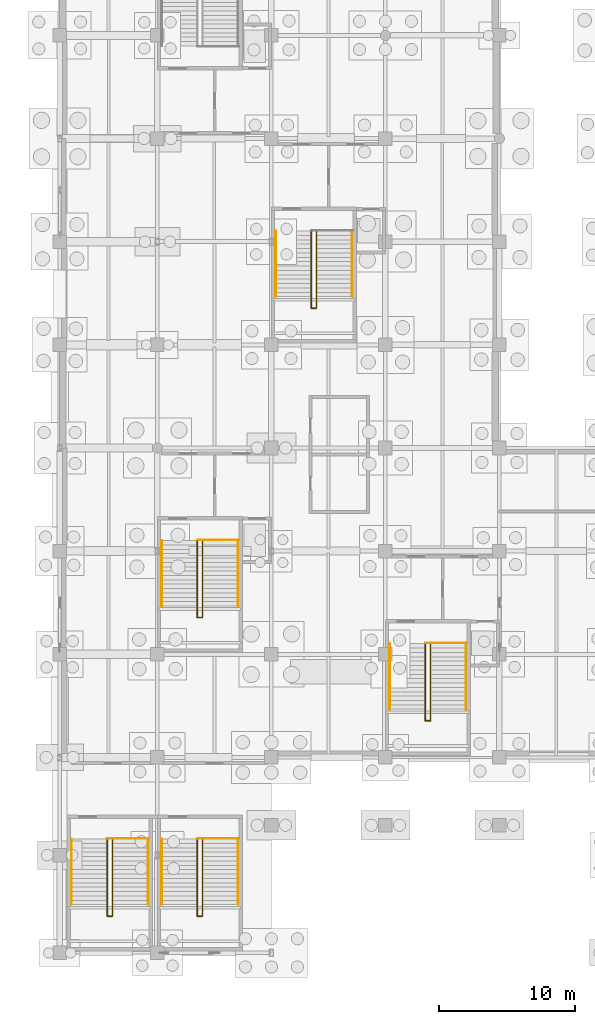
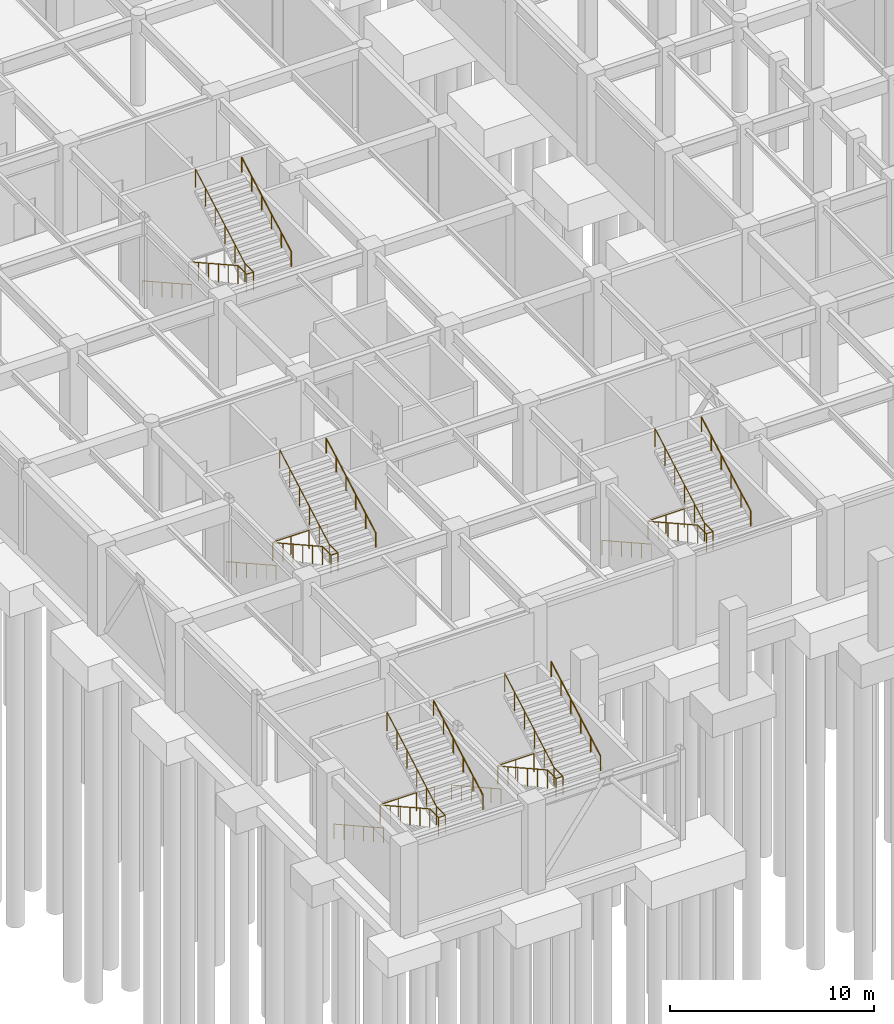
# One storey, part 49 of 52: 19 railings.
"""IFC4 building model written with IfcOpenShell, lengths in metres."""

import ifcopenshell
import ifcopenshell.guid

model = None  # the IFC model being written
_history = None  # IfcOwnerHistory: only IFC2X3 demands one
_inside = {}  # id of a spatial element -> (the spatial element, [elements in it])
_under = {}  # id of a project, library or spatial element -> (it, [spatial elements below it])
_declared = {}  # id of a project -> (the project, [libraries it declares])
_typed = {}  # id of a type object -> (the type object, [elements of that type])
_made_of = {}  # id of a material, layer set ... -> (it, [elements and type objects made of it])


def new_model(schema):
    """Start an empty IFC model of exactly this schema.

    Asked for "IFC4X3", IfcOpenShell would pick the latest addendum, in which some entities
    have other attributes; the version numbers below select the first issue.
    IFC2X3 requires an IfcOwnerHistory on every rooted entity: one is made here for all.
    """
    global model, _history
    if schema == "IFC4X3":
        model = ifcopenshell.file(schema_version=(4, 3, 0, 0))
    else:
        model = ifcopenshell.file(schema=schema)
    _inside.clear()
    _under.clear()
    _declared.clear()
    _typed.clear()
    _made_of.clear()
    _history = None
    if model.schema == "IFC2X3":
        org = make("IfcOrganization", Name="unknown")
        user = make(
            "IfcPersonAndOrganization",
            ThePerson=make("IfcPerson", FamilyName="unknown"),
            TheOrganization=org,
        )
        app = make(
            "IfcApplication",
            ApplicationDeveloper=org,
            Version="unknown",
            ApplicationFullName="unknown",
            ApplicationIdentifier="unknown",
        )
        _history = make(
            "IfcOwnerHistory",
            OwningUser=user,
            OwningApplication=app,
            ChangeAction="ADDED",
            CreationDate=0,
        )
    return model


def make(cls, **values):
    """One entity of the class cls with the attributes given. An attribute that is None is left unset."""
    return model.create_entity(
        cls, **{name: value for name, value in values.items() if value is not None}
    )


def rooted(cls, **values):
    """An entity with a GlobalId (a new one), such as an element, a storey or a relation."""
    return make(cls, GlobalId=ifcopenshell.guid.new(), OwnerHistory=_history, **values)


def si_unit(unit_type, name, prefix=None):
    """IfcSIUnit, for example si_unit("LENGTHUNIT", "METRE", prefix="MILLI")."""
    return make("IfcSIUnit", UnitType=unit_type, Prefix=prefix, Name=name)


def assignment(units):
    """IfcUnitAssignment: the units of a project."""
    return None if units is None else make("IfcUnitAssignment", Units=units)


def point(xyz):
    """IfcCartesianPoint."""
    return None if xyz is None else make("IfcCartesianPoint", Coordinates=xyz)


def direction(xyz):
    """IfcDirection."""
    return None if xyz is None else make("IfcDirection", DirectionRatios=xyz)


def frame(location, z_axis=None, x_axis=None):
    """IfcAxis2Placement3D, a coordinate frame: its origin and axes. An axis left out is left unset."""
    return make(
        "IfcAxis2Placement3D",
        Location=point(location),
        Axis=direction(z_axis),
        RefDirection=direction(x_axis),
    )


def frame_2d(location, x_axis=None):
    """IfcAxis2Placement2D, a coordinate frame in the plane: its origin and x axis."""
    return make(
        "IfcAxis2Placement2D", Location=point(location), RefDirection=direction(x_axis)
    )


def origin():
    """The frame at (0, 0, 0) with its axes left unset."""
    return frame((0.0, 0.0, 0.0))


def origin_2d():
    """The frame at (0, 0) in the plane with its x axis left unset."""
    return frame_2d((0.0, 0.0))


def place(relative_to, where):
    """IfcLocalPlacement: puts the frame where relative to a parent placement (None: the world)."""
    return make(
        "IfcLocalPlacement", PlacementRelTo=relative_to, RelativePlacement=where
    )


def context(
    kind, dimensions, precision=None, world=None, true_north=None, identifier=None
):
    """IfcGeometricRepresentationContext, for example the 3D "Model" context."""
    return make(
        "IfcGeometricRepresentationContext",
        ContextIdentifier=identifier,
        ContextType=kind,
        CoordinateSpaceDimension=dimensions,
        Precision=precision,
        WorldCoordinateSystem=world,
        TrueNorth=true_north,
    )


def subcontext(parent, identifier, kind, view, scale=None):
    """IfcGeometricRepresentationSubContext, for example "Body" below "Model"."""
    return make(
        "IfcGeometricRepresentationSubContext",
        ContextIdentifier=identifier,
        ContextType=kind,
        ParentContext=parent,
        TargetScale=scale,
        TargetView=view,
    )


def project(units=None, contexts=None):
    """IfcProject with its units and contexts."""
    return rooted(
        "IfcProject",
        Name="project",
        RepresentationContexts=contexts,
        UnitsInContext=assignment(units),
    )


def spatial(cls, under=None, at=None, **own):
    """A site, building, storey or space (cls), placed at a placement, below another one or the project."""
    s = rooted(cls, ObjectPlacement=at, **own)
    if under is not None:
        _under.setdefault(under.id(), (under, []))[1].append(s)
    return s


def profile(cls, at=None, kind="AREA", **sizes):
    """A parametric profile (cls). Its sizes go by their IFC names, for example OverallWidth=200.0."""
    return make(cls, ProfileType=kind, Position=at, **sizes)


def circle(**sizes):
    """IfcCircleProfileDef."""
    return profile("IfcCircleProfileDef", **sizes)


def extrude(swept, where, along, depth):
    """IfcExtrudedAreaSolid: the profile swept, set in the frame where, extruded along a direction by depth."""
    return make(
        "IfcExtrudedAreaSolid",
        SweptArea=swept,
        Position=where,
        ExtrudedDirection=direction(along),
        Depth=depth,
    )


def shape(context_of_items, identifier, shape_type, items):
    """IfcShapeRepresentation: the items that make up one representation, for example the "Body"."""
    return make(
        "IfcShapeRepresentation",
        ContextOfItems=context_of_items,
        RepresentationIdentifier=identifier,
        RepresentationType=shape_type,
        Items=items,
    )


def material(Name=None, Category=None):
    """IfcMaterial."""
    return make("IfcMaterial", Name=Name, Category=Category)


def made_of(thing, what):
    """Note that an element or type object is made of a material, layer set ...; save() writes the relation."""
    if what is not None:
        _made_of.setdefault(what.id(), (what, []))[1].append(thing)
    return thing


def type_object(cls, material=None, **own):
    """A type object (cls), such as IfcWallType, which elements share."""
    return made_of(rooted(cls, **own), material)


def element(
    cls,
    number,
    at=None,
    inside=None,
    cuts=None,
    type_object=None,
    material=None,
    context=None,
    identifier="Body",
    shape_type=None,
    held_by="IfcProductDefinitionShape",
    body=None,
    shapes=None,
    **own,
):
    """One element of the class cls, such as IfcWall. Its Tag is "e" and its number.

    at: its placement. inside: the storey or other place that contains it. cuts: it is an
    opening in that element (IfcRelVoidsElement). A single representation is given by context,
    identifier, shape_type and body (its items); several are given by shapes. held_by: the class
    of the entity that holds the representations. save() writes the other relations.
    """
    e = rooted(cls, Tag="e%d" % number, ObjectPlacement=at, **own)
    if body is not None:
        shapes = [shape(context, identifier, shape_type, body)]
    if shapes is not None:
        e.Representation = make(held_by, Representations=shapes)
    if inside is not None:
        _inside.setdefault(inside.id(), (inside, []))[1].append(e)
    if cuts is not None:
        rooted(
            "IfcRelVoidsElement", RelatingBuildingElement=cuts, RelatedOpeningElement=e
        )
    if type_object is not None:
        _typed.setdefault(type_object.id(), (type_object, []))[1].append(e)
    return made_of(e, material)


def aggregate(whole, parts):
    """IfcRelAggregates: a whole, such as a stair, and the parts it consists of."""
    return rooted("IfcRelAggregates", RelatingObject=whole, RelatedObjects=parts)


def save(model, path):
    """Write the relations noted so far, then the file.

    IfcRelAggregates (storeys below a building ...), IfcRelContainedInSpatialStructure (elements
    in a storey), IfcRelDefinesByType, IfcRelAssociatesMaterial and IfcRelDeclares: one each for
    every whole, place, type object, material and project.
    """
    for whole, parts in _under.values():
        aggregate(whole, parts)
    for where, things in _inside.values():
        rooted(
            "IfcRelContainedInSpatialStructure",
            RelatedElements=things,
            RelatingStructure=where,
        )
    for kind, things in _typed.values():
        rooted("IfcRelDefinesByType", RelatedObjects=things, RelatingType=kind)
    for what, things in _made_of.values():
        rooted("IfcRelAssociatesMaterial", RelatedObjects=things, RelatingMaterial=what)
    for by, libraries in _declared.values():
        rooted("IfcRelDeclares", RelatingContext=by, RelatedDefinitions=libraries)
    model.write(path)


model = new_model("IFC4")

# Units and contexts
model_context = context("Model", 3, precision=1e-05, world=origin(), true_north=direction((0.0, 1.0)))
body_context = subcontext(model_context, "Body", "Model", "MODEL_VIEW")
ifc_project = project(units=[si_unit("LENGTHUNIT", "METRE"), si_unit("AREAUNIT", "SQUARE_METRE"), si_unit("VOLUMEUNIT", "CUBIC_METRE"), si_unit("PLANEANGLEUNIT", "RADIAN"), si_unit("MASSUNIT", "GRAM", prefix="KILO")], contexts=[model_context])

# Site, building, storey
site_placement = place(None, origin())
site = spatial("IfcSite", under=ifc_project, at=site_placement, CompositionType="ELEMENT")
building_placement = place(site_placement, origin())
building = spatial("IfcBuilding", under=site, at=building_placement, Name="Xicomal Pleat Aquarium", CompositionType="ELEMENT")
storey_placement = place(building_placement, frame((0.0, 0.0, -5.39990234375)))
storey = spatial("IfcBuildingStorey", under=building, at=storey_placement, Name="B1", CompositionType="ELEMENT", Elevation=-5.39990234375)

# Railings
ifc_material_1 = material(Name="Brushed stainless steel 316L", Category="steel")
railing_type_1 = type_object("IfcRailingType", Name="RAL-HR-900", PredefinedType="HANDRAIL", material=ifc_material_1)
railing_1_placement = place(storey_placement, frame((10.52001953125, 31.179931640625, 0.0)))
element("IfcRailing", 1, at=railing_1_placement, inside=storey, type_object=railing_type_1, Name="ST-01-B1 flight 1 handrail", PredefinedType="HANDRAIL", context=body_context, shape_type="SweptSolid", body=[
    extrude(circle(Radius=0.02392578125, at=origin_2d()), frame((0.0, 0.0, 0.8759765625), z_axis=(0.0, -0.872872184848, 0.487948920398), x_axis=(1.0, 0.0, 0.0)), (0.0, 0.0, 1.0), 5.533203125),
    extrude(circle(Radius=0.02099609375, at=origin_2d()), origin(), (0.0, 0.0, 1.0), 0.851806640625),
    extrude(circle(Radius=0.02099609375, at=origin_2d()), frame((0.0, -0.966064453125, 0.5400390625)), (0.0, 0.0, 1.0), 0.851806640625),
    extrude(circle(Radius=0.02099609375, at=origin_2d()), frame((0.0, -1.931884765625, 1.080078125)), (0.0, 0.0, 1.0), 0.851806640625),
    extrude(circle(Radius=0.02099609375, at=origin_2d()), frame((0.0, -2.89794921875, 1.619873046875)), (0.0, 0.0, 1.0), 0.851806640625),
    extrude(circle(Radius=0.02099609375, at=origin_2d()), frame((0.0, -3.86376953125, 2.159912109375)), (0.0, 0.0, 1.0), 0.851806640625),
    extrude(circle(Radius=0.02099609375, at=origin_2d()), frame((0.0, -4.829833984375, 2.699951171875)), (0.0, 0.0, 1.0), 0.851806640625),
])
railing_2_placement = place(storey_placement, frame((16.139892578125, 26.35009765625, 2.699951171875)))
element("IfcRailing", 2, at=railing_2_placement, inside=storey, type_object=railing_type_1, Name="ST-01-B1 flight 2 handrail", PredefinedType="HANDRAIL", context=body_context, shape_type="SweptSolid", body=[
    extrude(circle(Radius=0.02392578125, at=origin_2d()), frame((0.0, 0.0, 0.8759765625), z_axis=(0.0, 0.872872184848, 0.487948920398), x_axis=(-1.0, 0.0, 0.0)), (0.0, 0.0, 1.0), 5.533203125),
    extrude(circle(Radius=0.02099609375, at=origin_2d()), origin(), (0.0, 0.0, 1.0), 0.851806640625),
    extrude(circle(Radius=0.02099609375, at=origin_2d()), frame((0.0, 0.966064453125, 0.5400390625)), (0.0, 0.0, 1.0), 0.851806640625),
    extrude(circle(Radius=0.02099609375, at=origin_2d()), frame((0.0, 1.931884765625, 1.080078125)), (0.0, 0.0, 1.0), 0.851806640625),
    extrude(circle(Radius=0.02099609375, at=origin_2d()), frame((0.0, 2.89794921875, 1.619873046875)), (0.0, 0.0, 1.0), 0.851806640625),
    extrude(circle(Radius=0.02099609375, at=origin_2d()), frame((0.0, 3.86376953125, 2.159912109375)), (0.0, 0.0, 1.0), 0.851806640625),
    extrude(circle(Radius=0.02099609375, at=origin_2d()), frame((0.0, 4.829833984375, 2.699951171875)), (0.0, 0.0, 1.0), 0.851806640625),
])
railing_3_placement = place(storey_placement, frame((27.320068359375, 23.580078125, 0.0)))
element("IfcRailing", 3, at=railing_3_placement, inside=storey, type_object=railing_type_1, Name="ST-02-B1 flight 1 handrail", PredefinedType="HANDRAIL", context=body_context, shape_type="SweptSolid", body=[
    extrude(circle(Radius=0.02392578125, at=origin_2d()), frame((0.0, 0.0, 0.8759765625), z_axis=(0.0, -0.872882689512, 0.487930128554), x_axis=(1.0, 0.0, 0.0)), (0.0, 0.0, 1.0), 5.533447265625),
    extrude(circle(Radius=0.02099609375, at=origin_2d()), origin(), (0.0, 0.0, 1.0), 0.851806640625),
    extrude(circle(Radius=0.02099609375, at=origin_2d()), frame((0.0, -0.966064453125, 0.5400390625)), (0.0, 0.0, 1.0), 0.851806640625),
    extrude(circle(Radius=0.02099609375, at=origin_2d()), frame((0.0, -1.93212890625, 1.080078125)), (0.0, 0.0, 1.0), 0.851806640625),
    extrude(circle(Radius=0.02099609375, at=origin_2d()), frame((0.0, -2.89794921875, 1.619873046875)), (0.0, 0.0, 1.0), 0.851806640625),
    extrude(circle(Radius=0.02099609375, at=origin_2d()), frame((0.0, -3.864013671875, 2.159912109375)), (0.0, 0.0, 1.0), 0.851806640625),
    extrude(circle(Radius=0.02099609375, at=origin_2d()), frame((0.0, -4.830078125, 2.699951171875)), (0.0, 0.0, 1.0), 0.851806640625),
])
railing_4_placement = place(storey_placement, frame((32.93994140625, 18.75, 2.699951171875)))
element("IfcRailing", 4, at=railing_4_placement, inside=storey, type_object=railing_type_1, Name="ST-02-B1 flight 2 handrail", PredefinedType="HANDRAIL", context=body_context, shape_type="SweptSolid", body=[
    extrude(circle(Radius=0.02392578125, at=origin_2d()), frame((0.0, 0.0, 0.8759765625), z_axis=(0.0, 0.872882689512, 0.487930128554), x_axis=(-1.0, 0.0, 0.0)), (0.0, 0.0, 1.0), 5.533447265625),
    extrude(circle(Radius=0.02099609375, at=origin_2d()), origin(), (0.0, 0.0, 1.0), 0.851806640625),
    extrude(circle(Radius=0.02099609375, at=origin_2d()), frame((0.0, 0.966064453125, 0.5400390625)), (0.0, 0.0, 1.0), 0.851806640625),
    extrude(circle(Radius=0.02099609375, at=origin_2d()), frame((0.0, 1.93212890625, 1.080078125)), (0.0, 0.0, 1.0), 0.851806640625),
    extrude(circle(Radius=0.02099609375, at=origin_2d()), frame((0.0, 2.89794921875, 1.619873046875)), (0.0, 0.0, 1.0), 0.851806640625),
    extrude(circle(Radius=0.02099609375, at=origin_2d()), frame((0.0, 3.864013671875, 2.159912109375)), (0.0, 0.0, 1.0), 0.851806640625),
    extrude(circle(Radius=0.02099609375, at=origin_2d()), frame((0.0, 4.830078125, 2.699951171875)), (0.0, 0.0, 1.0), 0.851806640625),
])
railing_5_placement = place(storey_placement, frame((18.919921875, 53.97998046875, 0.0)))
element("IfcRailing", 5, at=railing_5_placement, inside=storey, type_object=railing_type_1, Name="ST-04-B1 flight 1 handrail", PredefinedType="HANDRAIL", context=body_context, shape_type="SweptSolid", body=[
    extrude(circle(Radius=0.02392578125, at=origin_2d()), frame((0.0, 0.0, 0.8759765625), z_axis=(0.0, -0.872882689512, 0.487930128554), x_axis=(1.0, 0.0, 0.0)), (0.0, 0.0, 1.0), 5.533447265625),
    extrude(circle(Radius=0.02099609375, at=origin_2d()), origin(), (0.0, 0.0, 1.0), 0.851806640625),
    extrude(circle(Radius=0.02099609375, at=origin_2d()), frame((0.0, -0.966064453125, 0.5400390625)), (0.0, 0.0, 1.0), 0.851806640625),
    extrude(circle(Radius=0.02099609375, at=origin_2d()), frame((0.0, -1.93212890625, 1.080078125)), (0.0, 0.0, 1.0), 0.851806640625),
    extrude(circle(Radius=0.02099609375, at=origin_2d()), frame((0.0, -2.89794921875, 1.619873046875)), (0.0, 0.0, 1.0), 0.851806640625),
    extrude(circle(Radius=0.02099609375, at=origin_2d()), frame((0.0, -3.864013671875, 2.159912109375)), (0.0, 0.0, 1.0), 0.851806640625),
    extrude(circle(Radius=0.02099609375, at=origin_2d()), frame((0.0, -4.830078125, 2.699951171875)), (0.0, 0.0, 1.0), 0.851806640625),
])
railing_6_placement = place(storey_placement, frame((24.5400390625, 49.14990234375, 2.699951171875)))
element("IfcRailing", 6, at=railing_6_placement, inside=storey, type_object=railing_type_1, Name="ST-04-B1 flight 2 handrail", PredefinedType="HANDRAIL", context=body_context, shape_type="SweptSolid", body=[
    extrude(circle(Radius=0.02392578125, at=origin_2d()), frame((0.0, 0.0, 0.8759765625), z_axis=(0.0, 0.872882689512, 0.487930128554), x_axis=(-1.0, 0.0, 0.0)), (0.0, 0.0, 1.0), 5.533447265625),
    extrude(circle(Radius=0.02099609375, at=origin_2d()), origin(), (0.0, 0.0, 1.0), 0.851806640625),
    extrude(circle(Radius=0.02099609375, at=origin_2d()), frame((0.0, 0.966064453125, 0.5400390625)), (0.0, 0.0, 1.0), 0.851806640625),
    extrude(circle(Radius=0.02099609375, at=origin_2d()), frame((0.0, 1.93212890625, 1.080078125)), (0.0, 0.0, 1.0), 0.851806640625),
    extrude(circle(Radius=0.02099609375, at=origin_2d()), frame((0.0, 2.89794921875, 1.619873046875)), (0.0, 0.0, 1.0), 0.851806640625),
    extrude(circle(Radius=0.02099609375, at=origin_2d()), frame((0.0, 3.864013671875, 2.159912109375)), (0.0, 0.0, 1.0), 0.851806640625),
    extrude(circle(Radius=0.02099609375, at=origin_2d()), frame((0.0, 4.830078125, 2.699951171875)), (0.0, 0.0, 1.0), 0.851806640625),
])
railing_7_placement = place(storey_placement, frame((10.52001953125, 9.179931640625, 0.0)))
element("IfcRailing", 7, at=railing_7_placement, inside=storey, type_object=railing_type_1, Name="ST-09-B1 flight 1 handrail", PredefinedType="HANDRAIL", context=body_context, shape_type="SweptSolid", body=[
    extrude(circle(Radius=0.02392578125, at=origin_2d()), frame((0.0, 0.0, 0.8759765625), z_axis=(0.0, -0.872872184848, 0.487948920398), x_axis=(1.0, 0.0, 0.0)), (0.0, 0.0, 1.0), 5.533203125),
    extrude(circle(Radius=0.02099609375, at=origin_2d()), origin(), (0.0, 0.0, 1.0), 0.851806640625),
    extrude(circle(Radius=0.02099609375, at=origin_2d()), frame((0.0, -0.966064453125, 0.5400390625)), (0.0, 0.0, 1.0), 0.851806640625),
    extrude(circle(Radius=0.02099609375, at=origin_2d()), frame((0.0, -1.931884765625, 1.080078125)), (0.0, 0.0, 1.0), 0.851806640625),
    extrude(circle(Radius=0.02099609375, at=origin_2d()), frame((0.0, -2.89794921875, 1.619873046875)), (0.0, 0.0, 1.0), 0.851806640625),
    extrude(circle(Radius=0.02099609375, at=origin_2d()), frame((0.0, -3.86376953125, 2.159912109375)), (0.0, 0.0, 1.0), 0.851806640625),
    extrude(circle(Radius=0.02099609375, at=origin_2d()), frame((0.0, -4.829833984375, 2.699951171875)), (0.0, 0.0, 1.0), 0.851806640625),
])
railing_8_placement = place(storey_placement, frame((16.139892578125, 4.35009765625, 2.699951171875)))
element("IfcRailing", 8, at=railing_8_placement, inside=storey, type_object=railing_type_1, Name="ST-09-B1 flight 2 handrail", PredefinedType="HANDRAIL", context=body_context, shape_type="SweptSolid", body=[
    extrude(circle(Radius=0.02392578125, at=origin_2d()), frame((0.0, 0.0, 0.8759765625), z_axis=(0.0, 0.872872184848, 0.487948920398), x_axis=(-1.0, 0.0, 0.0)), (0.0, 0.0, 1.0), 5.533203125),
    extrude(circle(Radius=0.02099609375, at=origin_2d()), origin(), (0.0, 0.0, 1.0), 0.851806640625),
    extrude(circle(Radius=0.02099609375, at=origin_2d()), frame((0.0, 0.966064453125, 0.5400390625)), (0.0, 0.0, 1.0), 0.851806640625),
    extrude(circle(Radius=0.02099609375, at=origin_2d()), frame((0.0, 1.931884765625, 1.080078125)), (0.0, 0.0, 1.0), 0.851806640625),
    extrude(circle(Radius=0.02099609375, at=origin_2d()), frame((0.0, 2.89794921875, 1.619873046875)), (0.0, 0.0, 1.0), 0.851806640625),
    extrude(circle(Radius=0.02099609375, at=origin_2d()), frame((0.0, 3.86376953125, 2.159912109375)), (0.0, 0.0, 1.0), 0.851806640625),
    extrude(circle(Radius=0.02099609375, at=origin_2d()), frame((0.0, 4.829833984375, 2.699951171875)), (0.0, 0.0, 1.0), 0.851806640625),
])
railing_9_placement = place(storey_placement, frame((3.8798828125, 9.179931640625, 0.0)))
element("IfcRailing", 9, at=railing_9_placement, inside=storey, type_object=railing_type_1, Name="ST-10-B1 flight 1 handrail", PredefinedType="HANDRAIL", context=body_context, shape_type="SweptSolid", body=[
    extrude(circle(Radius=0.02392578125, at=origin_2d()), frame((0.0, 0.0, 0.8759765625), z_axis=(0.0, -0.872872184848, 0.487948920398), x_axis=(1.0, 0.0, 0.0)), (0.0, 0.0, 1.0), 5.533203125),
    extrude(circle(Radius=0.02099609375, at=origin_2d()), origin(), (0.0, 0.0, 1.0), 0.851806640625),
    extrude(circle(Radius=0.02099609375, at=origin_2d()), frame((0.0, -0.966064453125, 0.5400390625)), (0.0, 0.0, 1.0), 0.851806640625),
    extrude(circle(Radius=0.02099609375, at=origin_2d()), frame((0.0, -1.931884765625, 1.080078125)), (0.0, 0.0, 1.0), 0.851806640625),
    extrude(circle(Radius=0.02099609375, at=origin_2d()), frame((0.0, -2.89794921875, 1.619873046875)), (0.0, 0.0, 1.0), 0.851806640625),
    extrude(circle(Radius=0.02099609375, at=origin_2d()), frame((0.0, -3.86376953125, 2.159912109375)), (0.0, 0.0, 1.0), 0.851806640625),
    extrude(circle(Radius=0.02099609375, at=origin_2d()), frame((0.0, -4.829833984375, 2.699951171875)), (0.0, 0.0, 1.0), 0.851806640625),
])
railing_10_placement = place(storey_placement, frame((9.5, 4.35009765625, 2.699951171875)))
element("IfcRailing", 10, at=railing_10_placement, inside=storey, type_object=railing_type_1, Name="ST-10-B1 flight 2 handrail", PredefinedType="HANDRAIL", context=body_context, shape_type="SweptSolid", body=[
    extrude(circle(Radius=0.02392578125, at=origin_2d()), frame((0.0, 0.0, 0.8759765625), z_axis=(0.0, 0.872872184848, 0.487948920398), x_axis=(-1.0, 0.0, 0.0)), (0.0, 0.0, 1.0), 5.533203125),
    extrude(circle(Radius=0.02099609375, at=origin_2d()), origin(), (0.0, 0.0, 1.0), 0.851806640625),
    extrude(circle(Radius=0.02099609375, at=origin_2d()), frame((0.0, 0.966064453125, 0.5400390625)), (0.0, 0.0, 1.0), 0.851806640625),
    extrude(circle(Radius=0.02099609375, at=origin_2d()), frame((0.0, 1.931884765625, 1.080078125)), (0.0, 0.0, 1.0), 0.851806640625),
    extrude(circle(Radius=0.02099609375, at=origin_2d()), frame((0.0, 2.89794921875, 1.619873046875)), (0.0, 0.0, 1.0), 0.851806640625),
    extrude(circle(Radius=0.02099609375, at=origin_2d()), frame((0.0, 3.86376953125, 2.159912109375)), (0.0, 0.0, 1.0), 0.851806640625),
    extrude(circle(Radius=0.02099609375, at=origin_2d()), frame((0.0, 4.829833984375, 2.699951171875)), (0.0, 0.0, 1.0), 0.851806640625),
])
ifc_material_2 = material(Name="Brushed stainless steel 316L", Category="steel")
railing_type_2 = type_object("IfcRailingType", Name="RAL-STG-1120", PredefinedType="GUARDRAIL", material=ifc_material_2)
railing_11_placement = place(storey_placement, frame((13.139892578125, 31.179931640625, 0.0)))
element("IfcRailing", 11, at=railing_11_placement, inside=storey, type_object=railing_type_2, Name="ST-01-B1 inner well guard", PredefinedType="GUARDRAIL", context=body_context, shape_type="SweptSolid", body=[
    extrude(circle(Radius=0.02392578125, at=origin_2d()), frame((0.0, 0.0, 1.09619140625), z_axis=(0.0, -0.872872184848, 0.487948920398), x_axis=(1.0, 0.0, 0.0)), (0.0, 0.0, 1.0), 5.533203125),
    extrude(circle(Radius=0.02392578125, at=origin_2d()), frame((0.0, -4.829833984375, 3.7958984375), z_axis=(0.0, -1.0, 0.0), x_axis=(1.0, 0.0, 0.0)), (0.0, 0.0, 1.0), 0.85009765625),
    extrude(circle(Radius=0.02392578125, at=origin_2d()), frame((0.0, -5.679931640625, 3.7958984375), z_axis=(1.0, 0.0, 0.0), x_axis=(0.0, 1.0, 0.0)), (0.0, 0.0, 1.0), 0.380126953125),
    extrude(circle(Radius=0.02392578125, at=origin_2d()), frame((0.380126953125, -5.679931640625, 3.7958984375), z_axis=(0.0, 1.0, 0.0), x_axis=(-1.0, 0.0, 0.0)), (0.0, 0.0, 1.0), 0.85009765625),
    extrude(circle(Radius=0.02392578125, at=origin_2d()), frame((0.380126953125, -4.829833984375, 3.7958984375), z_axis=(0.0, 0.872872184848, 0.487948920398), x_axis=(-1.0, 0.0, 0.0)), (0.0, 0.0, 1.0), 5.533203125),
    extrude(circle(Radius=0.02099609375, at=origin_2d()), origin(), (0.0, 0.0, 1.0), 1.072021484375),
    extrude(circle(Radius=0.02099609375, at=origin_2d()), frame((0.0, -0.966064453125, 0.5400390625)), (0.0, 0.0, 1.0), 1.072021484375),
    extrude(circle(Radius=0.02099609375, at=origin_2d()), frame((0.0, -1.931884765625, 1.080078125)), (0.0, 0.0, 1.0), 1.072021484375),
    extrude(circle(Radius=0.02099609375, at=origin_2d()), frame((0.0, -2.89794921875, 1.619873046875)), (0.0, 0.0, 1.0), 1.072021484375),
    extrude(circle(Radius=0.02099609375, at=origin_2d()), frame((0.0, -3.86376953125, 2.159912109375)), (0.0, 0.0, 1.0), 1.072021484375),
    extrude(circle(Radius=0.02099609375, at=origin_2d()), frame((0.0, -4.829833984375, 2.699951171875)), (0.0, 0.0, 1.0), 1.072021484375),
    extrude(circle(Radius=0.02099609375, at=origin_2d()), frame((0.0, -5.679931640625, 2.699951171875)), (0.0, 0.0, 1.0), 1.072021484375),
    extrude(circle(Radius=0.02099609375, at=origin_2d()), frame((0.380126953125, -5.679931640625, 2.699951171875)), (0.0, 0.0, 1.0), 1.072021484375),
    extrude(circle(Radius=0.02099609375, at=origin_2d()), frame((0.380126953125, -4.829833984375, 2.699951171875)), (0.0, 0.0, 1.0), 1.072021484375),
    extrude(circle(Radius=0.02099609375, at=origin_2d()), frame((0.380126953125, -3.86376953125, 3.239990234375)), (0.0, 0.0, 1.0), 1.072021484375),
    extrude(circle(Radius=0.02099609375, at=origin_2d()), frame((0.380126953125, -2.89794921875, 3.780029296875)), (0.0, 0.0, 1.0), 1.072021484375),
    extrude(circle(Radius=0.02099609375, at=origin_2d()), frame((0.380126953125, -1.931884765625, 4.31982421875)), (0.0, 0.0, 1.0), 1.072021484375),
    extrude(circle(Radius=0.02099609375, at=origin_2d()), frame((0.380126953125, -0.966064453125, 4.85986328125)), (0.0, 0.0, 1.0), 1.072021484375),
    extrude(circle(Radius=0.02099609375, at=origin_2d()), frame((0.380126953125, 0.0, 5.39990234375)), (0.0, 0.0, 1.0), 1.072021484375),
])
railing_12_placement = place(storey_placement, frame((13.139892578125, 31.219970703125, 0.0)))
element("IfcRailing", 12, at=railing_12_placement, inside=storey, type_object=railing_type_2, Name="ST-01-B1 floor landing slot guard", PredefinedType="GUARDRAIL", context=body_context, shape_type="SweptSolid", body=[
    extrude(circle(Radius=0.02392578125, at=origin_2d()), frame((0.0, 0.0, 1.09619140625), z_axis=(1.0, 0.0, 0.0), x_axis=(0.0, 1.0, 0.0)), (0.0, 0.0, 1.0), 3.080078125),
    extrude(circle(Radius=0.02099609375, at=origin_2d()), origin(), (0.0, 0.0, 1.0), 1.072021484375),
    extrude(circle(Radius=0.02099609375, at=origin_2d()), frame((1.026611328125, 0.0, 0.0)), (0.0, 0.0, 1.0), 1.072021484375),
    extrude(circle(Radius=0.02099609375, at=origin_2d()), frame((2.053466796875, 0.0, 0.0)), (0.0, 0.0, 1.0), 1.072021484375),
    extrude(circle(Radius=0.02099609375, at=origin_2d()), frame((3.080078125, 0.0, 0.0)), (0.0, 0.0, 1.0), 1.072021484375),
])
railing_13_placement = place(storey_placement, frame((29.93994140625, 23.580078125, 0.0)))
element("IfcRailing", 13, at=railing_13_placement, inside=storey, type_object=railing_type_2, Name="ST-02-B1 inner well guard", PredefinedType="GUARDRAIL", context=body_context, shape_type="SweptSolid", body=[
    extrude(circle(Radius=0.02392578125, at=origin_2d()), frame((0.0, 0.0, 1.09619140625), z_axis=(0.0, -0.872882689512, 0.487930128554), x_axis=(1.0, 0.0, 0.0)), (0.0, 0.0, 1.0), 5.533447265625),
    extrude(circle(Radius=0.02392578125, at=origin_2d()), frame((0.0, -4.830078125, 3.7958984375), z_axis=(0.0, -1.0, 0.0), x_axis=(1.0, 0.0, 0.0)), (0.0, 0.0, 1.0), 0.85009765625),
    extrude(circle(Radius=0.02392578125, at=origin_2d()), frame((0.0, -5.68017578125, 3.7958984375), z_axis=(1.0, 0.0, 0.0), x_axis=(0.0, 1.0, 0.0)), (0.0, 0.0, 1.0), 0.380126953125),
    extrude(circle(Radius=0.02392578125, at=origin_2d()), frame((0.380126953125, -5.68017578125, 3.7958984375), z_axis=(0.0, 1.0, 0.0), x_axis=(-1.0, 0.0, 0.0)), (0.0, 0.0, 1.0), 0.85009765625),
    extrude(circle(Radius=0.02392578125, at=origin_2d()), frame((0.380126953125, -4.830078125, 3.7958984375), z_axis=(0.0, 0.872882689512, 0.487930128554), x_axis=(-1.0, 0.0, 0.0)), (0.0, 0.0, 1.0), 5.533447265625),
    extrude(circle(Radius=0.02099609375, at=origin_2d()), origin(), (0.0, 0.0, 1.0), 1.072021484375),
    extrude(circle(Radius=0.02099609375, at=origin_2d()), frame((0.0, -0.966064453125, 0.5400390625)), (0.0, 0.0, 1.0), 1.072021484375),
    extrude(circle(Radius=0.02099609375, at=origin_2d()), frame((0.0, -1.93212890625, 1.080078125)), (0.0, 0.0, 1.0), 1.072021484375),
    extrude(circle(Radius=0.02099609375, at=origin_2d()), frame((0.0, -2.89794921875, 1.619873046875)), (0.0, 0.0, 1.0), 1.072021484375),
    extrude(circle(Radius=0.02099609375, at=origin_2d()), frame((0.0, -3.864013671875, 2.159912109375)), (0.0, 0.0, 1.0), 1.072021484375),
    extrude(circle(Radius=0.02099609375, at=origin_2d()), frame((0.0, -4.830078125, 2.699951171875)), (0.0, 0.0, 1.0), 1.072021484375),
    extrude(circle(Radius=0.02099609375, at=origin_2d()), frame((0.0, -5.68017578125, 2.699951171875)), (0.0, 0.0, 1.0), 1.072021484375),
    extrude(circle(Radius=0.02099609375, at=origin_2d()), frame((0.380126953125, -5.68017578125, 2.699951171875)), (0.0, 0.0, 1.0), 1.072021484375),
    extrude(circle(Radius=0.02099609375, at=origin_2d()), frame((0.380126953125, -4.830078125, 2.699951171875)), (0.0, 0.0, 1.0), 1.072021484375),
    extrude(circle(Radius=0.02099609375, at=origin_2d()), frame((0.380126953125, -3.864013671875, 3.239990234375)), (0.0, 0.0, 1.0), 1.072021484375),
    extrude(circle(Radius=0.02099609375, at=origin_2d()), frame((0.380126953125, -2.89794921875, 3.780029296875)), (0.0, 0.0, 1.0), 1.072021484375),
    extrude(circle(Radius=0.02099609375, at=origin_2d()), frame((0.380126953125, -1.93212890625, 4.31982421875)), (0.0, 0.0, 1.0), 1.072021484375),
    extrude(circle(Radius=0.02099609375, at=origin_2d()), frame((0.380126953125, -0.966064453125, 4.85986328125)), (0.0, 0.0, 1.0), 1.072021484375),
    extrude(circle(Radius=0.02099609375, at=origin_2d()), frame((0.380126953125, 0.0, 5.39990234375)), (0.0, 0.0, 1.0), 1.072021484375),
])
railing_14_placement = place(storey_placement, frame((29.93994140625, 23.6201171875, 0.0)))
element("IfcRailing", 14, at=railing_14_placement, inside=storey, type_object=railing_type_2, Name="ST-02-B1 floor landing slot guard", PredefinedType="GUARDRAIL", context=body_context, shape_type="SweptSolid", body=[
    extrude(circle(Radius=0.02392578125, at=origin_2d()), frame((0.0, 0.0, 1.09619140625), z_axis=(1.0, 0.0, 0.0), x_axis=(0.0, 1.0, 0.0)), (0.0, 0.0, 1.0), 3.080078125),
    extrude(circle(Radius=0.02099609375, at=origin_2d()), origin(), (0.0, 0.0, 1.0), 1.072021484375),
    extrude(circle(Radius=0.02099609375, at=origin_2d()), frame((1.026611328125, 0.0, 0.0)), (0.0, 0.0, 1.0), 1.072021484375),
    extrude(circle(Radius=0.02099609375, at=origin_2d()), frame((2.053466796875, 0.0, 0.0)), (0.0, 0.0, 1.0), 1.072021484375),
    extrude(circle(Radius=0.02099609375, at=origin_2d()), frame((3.080078125, 0.0, 0.0)), (0.0, 0.0, 1.0), 1.072021484375),
])
railing_15_placement = place(storey_placement, frame((21.5400390625, 53.97998046875, 0.0)))
element("IfcRailing", 15, at=railing_15_placement, inside=storey, type_object=railing_type_2, Name="ST-04-B1 inner well guard", PredefinedType="GUARDRAIL", context=body_context, shape_type="SweptSolid", body=[
    extrude(circle(Radius=0.02392578125, at=origin_2d()), frame((0.0, 0.0, 1.09619140625), z_axis=(0.0, -0.872882689512, 0.487930128554), x_axis=(1.0, 0.0, 0.0)), (0.0, 0.0, 1.0), 5.533447265625),
    extrude(circle(Radius=0.02392578125, at=origin_2d()), frame((0.0, -4.830078125, 3.7958984375), z_axis=(0.0, -1.0, 0.0), x_axis=(1.0, 0.0, 0.0)), (0.0, 0.0, 1.0), 0.849853515625),
    extrude(circle(Radius=0.02392578125, at=origin_2d()), frame((0.0, -5.679931640625, 3.7958984375), z_axis=(1.0, 0.0, 0.0), x_axis=(0.0, 1.0, 0.0)), (0.0, 0.0, 1.0), 0.3798828125),
    extrude(circle(Radius=0.02392578125, at=origin_2d()), frame((0.3798828125, -5.679931640625, 3.7958984375), z_axis=(0.0, 1.0, 0.0), x_axis=(-1.0, 0.0, 0.0)), (0.0, 0.0, 1.0), 0.849853515625),
    extrude(circle(Radius=0.02392578125, at=origin_2d()), frame((0.3798828125, -4.830078125, 3.7958984375), z_axis=(0.0, 0.872882689512, 0.487930128554), x_axis=(-1.0, 0.0, 0.0)), (0.0, 0.0, 1.0), 5.533447265625),
    extrude(circle(Radius=0.02099609375, at=origin_2d()), origin(), (0.0, 0.0, 1.0), 1.072021484375),
    extrude(circle(Radius=0.02099609375, at=origin_2d()), frame((0.0, -0.966064453125, 0.5400390625)), (0.0, 0.0, 1.0), 1.072021484375),
    extrude(circle(Radius=0.02099609375, at=origin_2d()), frame((0.0, -1.93212890625, 1.080078125)), (0.0, 0.0, 1.0), 1.072021484375),
    extrude(circle(Radius=0.02099609375, at=origin_2d()), frame((0.0, -2.89794921875, 1.619873046875)), (0.0, 0.0, 1.0), 1.072021484375),
    extrude(circle(Radius=0.02099609375, at=origin_2d()), frame((0.0, -3.864013671875, 2.159912109375)), (0.0, 0.0, 1.0), 1.072021484375),
    extrude(circle(Radius=0.02099609375, at=origin_2d()), frame((0.0, -4.830078125, 2.699951171875)), (0.0, 0.0, 1.0), 1.072021484375),
    extrude(circle(Radius=0.02099609375, at=origin_2d()), frame((0.0, -5.679931640625, 2.699951171875)), (0.0, 0.0, 1.0), 1.072021484375),
    extrude(circle(Radius=0.02099609375, at=origin_2d()), frame((0.3798828125, -5.679931640625, 2.699951171875)), (0.0, 0.0, 1.0), 1.072021484375),
    extrude(circle(Radius=0.02099609375, at=origin_2d()), frame((0.3798828125, -4.830078125, 2.699951171875)), (0.0, 0.0, 1.0), 1.072021484375),
    extrude(circle(Radius=0.02099609375, at=origin_2d()), frame((0.3798828125, -3.864013671875, 3.239990234375)), (0.0, 0.0, 1.0), 1.072021484375),
    extrude(circle(Radius=0.02099609375, at=origin_2d()), frame((0.3798828125, -2.89794921875, 3.780029296875)), (0.0, 0.0, 1.0), 1.072021484375),
    extrude(circle(Radius=0.02099609375, at=origin_2d()), frame((0.3798828125, -1.93212890625, 4.31982421875)), (0.0, 0.0, 1.0), 1.072021484375),
    extrude(circle(Radius=0.02099609375, at=origin_2d()), frame((0.3798828125, -0.966064453125, 4.85986328125)), (0.0, 0.0, 1.0), 1.072021484375),
    extrude(circle(Radius=0.02099609375, at=origin_2d()), frame((0.3798828125, 0.0, 5.39990234375)), (0.0, 0.0, 1.0), 1.072021484375),
])
railing_16_placement = place(storey_placement, frame((13.139892578125, 9.179931640625, 0.0)))
element("IfcRailing", 16, at=railing_16_placement, inside=storey, type_object=railing_type_2, Name="ST-09-B1 inner well guard", PredefinedType="GUARDRAIL", context=body_context, shape_type="SweptSolid", body=[
    extrude(circle(Radius=0.02392578125, at=origin_2d()), frame((0.0, 0.0, 1.09619140625), z_axis=(0.0, -0.872872184848, 0.487948920398), x_axis=(1.0, 0.0, 0.0)), (0.0, 0.0, 1.0), 5.533203125),
    extrude(circle(Radius=0.02392578125, at=origin_2d()), frame((0.0, -4.829833984375, 3.7958984375), z_axis=(0.0, -1.0, 0.0), x_axis=(1.0, 0.0, 0.0)), (0.0, 0.0, 1.0), 0.85009765625),
    extrude(circle(Radius=0.02392578125, at=origin_2d()), frame((0.0, -5.679931640625, 3.7958984375), z_axis=(1.0, 0.0, 0.0), x_axis=(0.0, 1.0, 0.0)), (0.0, 0.0, 1.0), 0.380126953125),
    extrude(circle(Radius=0.02392578125, at=origin_2d()), frame((0.380126953125, -5.679931640625, 3.7958984375), z_axis=(0.0, 1.0, 0.0), x_axis=(-1.0, 0.0, 0.0)), (0.0, 0.0, 1.0), 0.85009765625),
    extrude(circle(Radius=0.02392578125, at=origin_2d()), frame((0.380126953125, -4.829833984375, 3.7958984375), z_axis=(0.0, 0.872872184848, 0.487948920398), x_axis=(-1.0, 0.0, 0.0)), (0.0, 0.0, 1.0), 5.533203125),
    extrude(circle(Radius=0.02099609375, at=origin_2d()), origin(), (0.0, 0.0, 1.0), 1.072021484375),
    extrude(circle(Radius=0.02099609375, at=origin_2d()), frame((0.0, -0.966064453125, 0.5400390625)), (0.0, 0.0, 1.0), 1.072021484375),
    extrude(circle(Radius=0.02099609375, at=origin_2d()), frame((0.0, -1.931884765625, 1.080078125)), (0.0, 0.0, 1.0), 1.072021484375),
    extrude(circle(Radius=0.02099609375, at=origin_2d()), frame((0.0, -2.89794921875, 1.619873046875)), (0.0, 0.0, 1.0), 1.072021484375),
    extrude(circle(Radius=0.02099609375, at=origin_2d()), frame((0.0, -3.86376953125, 2.159912109375)), (0.0, 0.0, 1.0), 1.072021484375),
    extrude(circle(Radius=0.02099609375, at=origin_2d()), frame((0.0, -4.829833984375, 2.699951171875)), (0.0, 0.0, 1.0), 1.072021484375),
    extrude(circle(Radius=0.02099609375, at=origin_2d()), frame((0.0, -5.679931640625, 2.699951171875)), (0.0, 0.0, 1.0), 1.072021484375),
    extrude(circle(Radius=0.02099609375, at=origin_2d()), frame((0.380126953125, -5.679931640625, 2.699951171875)), (0.0, 0.0, 1.0), 1.072021484375),
    extrude(circle(Radius=0.02099609375, at=origin_2d()), frame((0.380126953125, -4.829833984375, 2.699951171875)), (0.0, 0.0, 1.0), 1.072021484375),
    extrude(circle(Radius=0.02099609375, at=origin_2d()), frame((0.380126953125, -3.86376953125, 3.239990234375)), (0.0, 0.0, 1.0), 1.072021484375),
    extrude(circle(Radius=0.02099609375, at=origin_2d()), frame((0.380126953125, -2.89794921875, 3.780029296875)), (0.0, 0.0, 1.0), 1.072021484375),
    extrude(circle(Radius=0.02099609375, at=origin_2d()), frame((0.380126953125, -1.931884765625, 4.31982421875)), (0.0, 0.0, 1.0), 1.072021484375),
    extrude(circle(Radius=0.02099609375, at=origin_2d()), frame((0.380126953125, -0.966064453125, 4.85986328125)), (0.0, 0.0, 1.0), 1.072021484375),
    extrude(circle(Radius=0.02099609375, at=origin_2d()), frame((0.380126953125, 0.0, 5.39990234375)), (0.0, 0.0, 1.0), 1.072021484375),
])
railing_17_placement = place(storey_placement, frame((13.139892578125, 9.219970703125, 0.0)))
element("IfcRailing", 17, at=railing_17_placement, inside=storey, type_object=railing_type_2, Name="ST-09-B1 floor landing slot guard", PredefinedType="GUARDRAIL", context=body_context, shape_type="SweptSolid", body=[
    extrude(circle(Radius=0.02392578125, at=origin_2d()), frame((0.0, 0.0, 1.09619140625), z_axis=(1.0, 0.0, 0.0), x_axis=(0.0, 1.0, 0.0)), (0.0, 0.0, 1.0), 3.080078125),
    extrude(circle(Radius=0.02099609375, at=origin_2d()), origin(), (0.0, 0.0, 1.0), 1.072021484375),
    extrude(circle(Radius=0.02099609375, at=origin_2d()), frame((1.026611328125, 0.0, 0.0)), (0.0, 0.0, 1.0), 1.072021484375),
    extrude(circle(Radius=0.02099609375, at=origin_2d()), frame((2.053466796875, 0.0, 0.0)), (0.0, 0.0, 1.0), 1.072021484375),
    extrude(circle(Radius=0.02099609375, at=origin_2d()), frame((3.080078125, 0.0, 0.0)), (0.0, 0.0, 1.0), 1.072021484375),
])
railing_18_placement = place(storey_placement, frame((6.5, 9.179931640625, 0.0)))
element("IfcRailing", 18, at=railing_18_placement, inside=storey, type_object=railing_type_2, Name="ST-10-B1 inner well guard", PredefinedType="GUARDRAIL", context=body_context, shape_type="SweptSolid", body=[
    extrude(circle(Radius=0.02392578125, at=origin_2d()), frame((0.0, 0.0, 1.09619140625), z_axis=(0.0, -0.872872184848, 0.487948920398), x_axis=(1.0, 0.0, 0.0)), (0.0, 0.0, 1.0), 5.533203125),
    extrude(circle(Radius=0.02392578125, at=origin_2d()), frame((0.0, -4.829833984375, 3.7958984375), z_axis=(0.0, -1.0, 0.0), x_axis=(1.0, 0.0, 0.0)), (0.0, 0.0, 1.0), 0.85009765625),
    extrude(circle(Radius=0.02392578125, at=origin_2d()), frame((0.0, -5.679931640625, 3.7958984375), z_axis=(1.0, 0.0, 0.0), x_axis=(0.0, 1.0, 0.0)), (0.0, 0.0, 1.0), 0.3798828125),
    extrude(circle(Radius=0.02392578125, at=origin_2d()), frame((0.3798828125, -5.679931640625, 3.7958984375), z_axis=(0.0, 1.0, 0.0), x_axis=(-1.0, 0.0, 0.0)), (0.0, 0.0, 1.0), 0.85009765625),
    extrude(circle(Radius=0.02392578125, at=origin_2d()), frame((0.3798828125, -4.829833984375, 3.7958984375), z_axis=(0.0, 0.872872184848, 0.487948920398), x_axis=(-1.0, 0.0, 0.0)), (0.0, 0.0, 1.0), 5.533203125),
    extrude(circle(Radius=0.02099609375, at=origin_2d()), origin(), (0.0, 0.0, 1.0), 1.072021484375),
    extrude(circle(Radius=0.02099609375, at=origin_2d()), frame((0.0, -0.966064453125, 0.5400390625)), (0.0, 0.0, 1.0), 1.072021484375),
    extrude(circle(Radius=0.02099609375, at=origin_2d()), frame((0.0, -1.931884765625, 1.080078125)), (0.0, 0.0, 1.0), 1.072021484375),
    extrude(circle(Radius=0.02099609375, at=origin_2d()), frame((0.0, -2.89794921875, 1.619873046875)), (0.0, 0.0, 1.0), 1.072021484375),
    extrude(circle(Radius=0.02099609375, at=origin_2d()), frame((0.0, -3.86376953125, 2.159912109375)), (0.0, 0.0, 1.0), 1.072021484375),
    extrude(circle(Radius=0.02099609375, at=origin_2d()), frame((0.0, -4.829833984375, 2.699951171875)), (0.0, 0.0, 1.0), 1.072021484375),
    extrude(circle(Radius=0.02099609375, at=origin_2d()), frame((0.0, -5.679931640625, 2.699951171875)), (0.0, 0.0, 1.0), 1.072021484375),
    extrude(circle(Radius=0.02099609375, at=origin_2d()), frame((0.3798828125, -5.679931640625, 2.699951171875)), (0.0, 0.0, 1.0), 1.072021484375),
    extrude(circle(Radius=0.02099609375, at=origin_2d()), frame((0.3798828125, -4.829833984375, 2.699951171875)), (0.0, 0.0, 1.0), 1.072021484375),
    extrude(circle(Radius=0.02099609375, at=origin_2d()), frame((0.3798828125, -3.86376953125, 3.239990234375)), (0.0, 0.0, 1.0), 1.072021484375),
    extrude(circle(Radius=0.02099609375, at=origin_2d()), frame((0.3798828125, -2.89794921875, 3.780029296875)), (0.0, 0.0, 1.0), 1.072021484375),
    extrude(circle(Radius=0.02099609375, at=origin_2d()), frame((0.3798828125, -1.931884765625, 4.31982421875)), (0.0, 0.0, 1.0), 1.072021484375),
    extrude(circle(Radius=0.02099609375, at=origin_2d()), frame((0.3798828125, -0.966064453125, 4.85986328125)), (0.0, 0.0, 1.0), 1.072021484375),
    extrude(circle(Radius=0.02099609375, at=origin_2d()), frame((0.3798828125, 0.0, 5.39990234375)), (0.0, 0.0, 1.0), 1.072021484375),
])
railing_19_placement = place(storey_placement, frame((6.5, 9.219970703125, 0.0)))
element("IfcRailing", 19, at=railing_19_placement, inside=storey, type_object=railing_type_2, Name="ST-10-B1 floor landing slot guard", PredefinedType="GUARDRAIL", context=body_context, shape_type="SweptSolid", body=[
    extrude(circle(Radius=0.02392578125, at=origin_2d()), frame((0.0, 0.0, 1.09619140625), z_axis=(1.0, 0.0, 0.0), x_axis=(0.0, 1.0, 0.0)), (0.0, 0.0, 1.0), 3.080078125),
    extrude(circle(Radius=0.02099609375, at=origin_2d()), origin(), (0.0, 0.0, 1.0), 1.072021484375),
    extrude(circle(Radius=0.02099609375, at=origin_2d()), frame((1.026611328125, 0.0, 0.0)), (0.0, 0.0, 1.0), 1.072021484375),
    extrude(circle(Radius=0.02099609375, at=origin_2d()), frame((2.053466796875, 0.0, 0.0)), (0.0, 0.0, 1.0), 1.072021484375),
    extrude(circle(Radius=0.02099609375, at=origin_2d()), frame((3.080078125, 0.0, 0.0)), (0.0, 0.0, 1.0), 1.072021484375),
])

save(model, "model.ifc")
